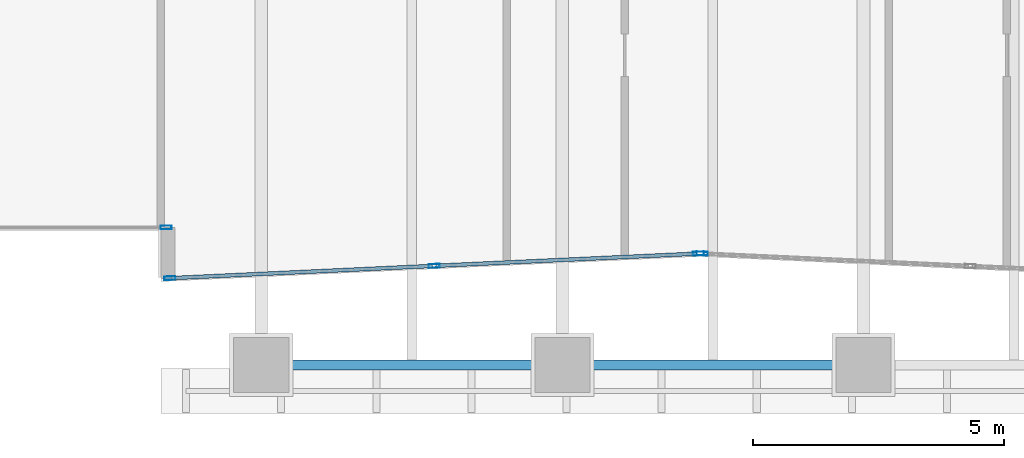
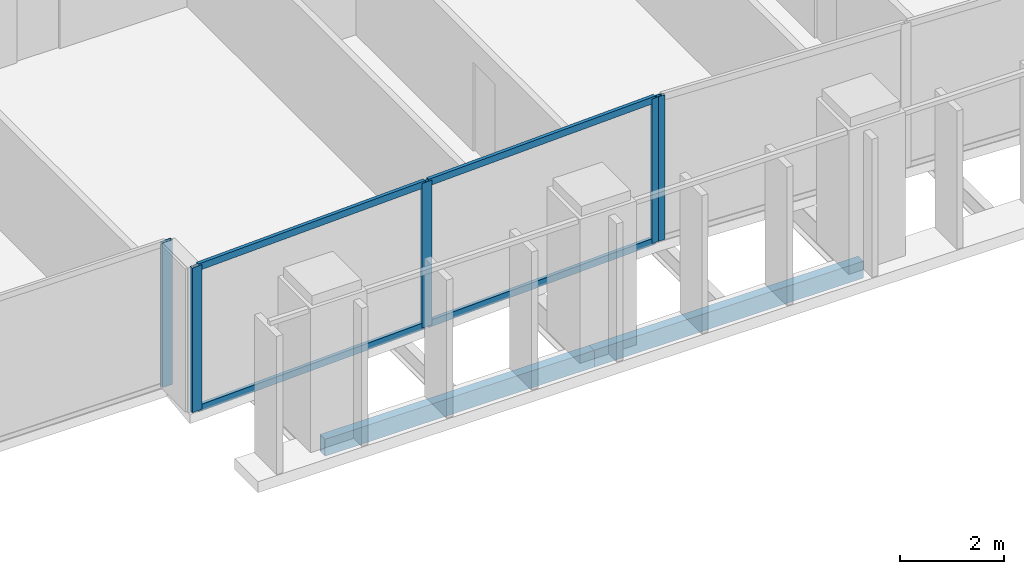
# One storey, part 5 of 32: 9 members, 2 beams, 3 elements without a shape of their own.
"""IFC4 building model written with IfcOpenShell, lengths in metres."""

from ifc_helpers import new_model, si_unit, direction, frame, origin, origin_2d, place, context, subcontext, project, spatial, hollow_rectangle, extrude, material, layer, layer_set, material_profile, profile_set, type_object, element, aggregate, save


model = new_model("IFC4")

# Units and contexts
model_context = context("Model", 3, precision=1e-05, world=origin(), true_north=direction((0.0, 1.0)))
body_context = subcontext(model_context, "Body", "Model", "MODEL_VIEW")
ifc_project = project(units=[si_unit("LENGTHUNIT", "METRE"), si_unit("AREAUNIT", "SQUARE_METRE"), si_unit("VOLUMEUNIT", "CUBIC_METRE"), si_unit("PLANEANGLEUNIT", "RADIAN"), si_unit("MASSUNIT", "GRAM", prefix="KILO")], contexts=[model_context])

# Site, building, storey
site_placement = place(None, origin())
site = spatial("IfcSite", under=ifc_project, at=site_placement, CompositionType="ELEMENT")
building_placement = place(site_placement, origin())
building = spatial("IfcBuilding", under=site, at=building_placement, Name="Tanjung Sevakor Pilgrim Tower", CompositionType="ELEMENT")
storey_placement = place(building_placement, frame((0.0, 0.0, 62.3701171875)))
storey = spatial("IfcBuildingStorey", under=building, at=storey_placement, Name="L17", CompositionType="ELEMENT", Elevation=62.3701171875)

# Beams
ifc_material_1 = material(Name="Steel S355J2", Category="steel")
ifc_material_profile_1 = material_profile(ifc_material_1, hollow_rectangle(XDim=0.199951171875, YDim=0.39990234375, WallThickness=0.01611328125, at=origin_2d()))
ifc_profile_set_1 = profile_set([ifc_material_profile_1], Name="Steel S355J2")
beam_type = type_object("IfcBeamType", Name="BM-B-SP2-RHS_400x200x16", PredefinedType="SPANDREL", material=ifc_profile_set_1)
for number, where, z_axis, x_axis, name in (
    (1, (54.0, 8.39990234375, -0.420166015625), (1.0, 0.0, 0.0), (0.0, 1.0, 0.0), "L17 Spandrel MAIN S-07"),
    (2, (60.0, 8.39990234375, -0.420166015625), (1.0, 0.0, 0.0), (0.0, 1.0, 0.0), "L17 Spandrel MAIN S-09"),
):
    element("IfcBeam", number, at=place(storey_placement, frame(where, z_axis=z_axis, x_axis=x_axis)), inside=storey, type_object=beam_type, Name=name, PredefinedType="SPANDREL", context=body_context, shape_type="SweptSolid", body=[
        extrude(hollow_rectangle(XDim=0.199951171875, YDim=0.39990234375, WallThickness=0.01611328125, at=origin_2d()), origin(), (0.0, 0.0, 1.0), 6.0),
    ])

# Curtain wall, member
ifc_material_2 = material(Name="Aluminium 6063-T6 and Low-E Glass", Category="aluminium")
ifc_layer_1 = layer(ifc_material_2, 0.179931640625)
ifc_layer_set_1 = layer_set([ifc_layer_1], Name="CW-SYS-CLEFT")
curtain_wall_type_1 = type_object("IfcCurtainWallType", Name="CW-SYS-CLEFT", PredefinedType="NOTDEFINED", material=ifc_layer_set_1)
curtain_wall_1_placement = place(storey_placement, origin())
curtain_wall_1 = element("IfcCurtainWall", 3, at=curtain_wall_1_placement, inside=storey, type_object=curtain_wall_type_1, Name="L17 Curtain Wall CW-CLF-L17-7", PredefinedType="NOTDEFINED")
ifc_material_3 = material(Name="Aluminium 6063-T6", Category="aluminium")
ifc_material_profile_2 = material_profile(ifc_material_3, hollow_rectangle(XDim=0.074951171875, YDim=0.219970703125, WallThickness=0.0048828125, at=origin_2d()))
ifc_profile_set_2 = profile_set([ifc_material_profile_2], Name="Aluminium 6063-T6")
member_type_1 = type_object("IfcMemberType", Name="TYPE-CWM-2", PredefinedType="MULLION", material=ifc_profile_set_2)
member_1_placement = place(storey_placement, frame((52.1025390625, 11.139892578125, 0.0), z_axis=(0.0, 0.0, 1.0), x_axis=(0.0, 1.0, 0.0)))
member_1 = element("IfcMember", 4, at=member_1_placement, type_object=member_type_1, Name="CW-CLF mullion 2", PredefinedType="MULLION", context=body_context, shape_type="SweptSolid", body=[
    extrude(hollow_rectangle(XDim=0.074951171875, YDim=0.219970703125, WallThickness=0.0048828125, at=origin_2d()), origin(), (0.0, 0.0, 1.0), 3.409912109375),
])
aggregate(curtain_wall_1, [member_1])

# Curtain wall, members
ifc_material_4 = material(Name="Aluminium 6063-T6 and Low-E Glass", Category="aluminium")
ifc_layer_2 = layer(ifc_material_4, 0.199951171875)
ifc_layer_set_2 = layer_set([ifc_layer_2], Name="CW-SYS-PRAY")
curtain_wall_type_2 = type_object("IfcCurtainWallType", Name="CW-SYS-PRAY", PredefinedType="NOTDEFINED", material=ifc_layer_set_2)
curtain_wall_2_placement = place(storey_placement, origin())
curtain_wall_2 = element("IfcCurtainWall", 5, at=curtain_wall_2_placement, inside=storey, type_object=curtain_wall_type_2, Name="L17 Curtain Wall CW-PRY-L17-9", PredefinedType="NOTDEFINED")
member_2_placement = place(storey_placement, frame((52.177490234375, 10.12841796875, 0.0), z_axis=(0.0, 0.0, 1.0), x_axis=(-0.046462491741, 0.998920035269, 0.0)))
member_2 = element("IfcMember", 6, at=member_2_placement, type_object=member_type_1, Name="CW-PRY mullion 1", PredefinedType="MULLION", context=body_context, shape_type="SweptSolid", body=[
    extrude(hollow_rectangle(XDim=0.074951171875, YDim=0.219970703125, WallThickness=0.0048828125, at=origin_2d()), origin(), (0.0, 0.0, 1.0), 3.409912109375),
])
member_3_placement = place(storey_placement, frame((57.445068359375, 10.37353515625, 0.0), z_axis=(0.0, 0.0, 1.0), x_axis=(-0.046462491741, 0.998920035269, 0.0)))
member_3 = element("IfcMember", 7, at=member_3_placement, type_object=member_type_1, Name="CW-PRY mullion 2", PredefinedType="MULLION", context=body_context, shape_type="SweptSolid", body=[
    extrude(hollow_rectangle(XDim=0.074951171875, YDim=0.219970703125, WallThickness=0.0048828125, at=origin_2d()), origin(), (0.0, 0.0, 1.0), 3.409912109375),
])
member_4_placement = place(storey_placement, frame((62.712646484375, 10.618408203125, 0.0), z_axis=(0.0, 0.0, 1.0), x_axis=(-0.046462491741, 0.998920035269, 0.0)))
member_4 = element("IfcMember", 8, at=member_4_placement, type_object=member_type_1, Name="CW-PRY mullion 3", PredefinedType="MULLION", context=body_context, shape_type="SweptSolid", body=[
    extrude(hollow_rectangle(XDim=0.074951171875, YDim=0.219970703125, WallThickness=0.0048828125, at=origin_2d()), origin(), (0.0, 0.0, 1.0), 3.409912109375),
])

# Curtain wall, member
curtain_wall_3_placement = place(storey_placement, origin())
curtain_wall_3 = element("IfcCurtainWall", 9, at=curtain_wall_3_placement, inside=storey, type_object=curtain_wall_type_2, Name="L17 Curtain Wall CW-PRY-L17-10", PredefinedType="NOTDEFINED")
member_5_placement = place(storey_placement, frame((62.787353515625, 10.618408203125, 0.0), z_axis=(0.0, 0.0, 1.0), x_axis=(0.046470450459, 0.998919665055, 0.0)))
member_5 = element("IfcMember", 10, at=member_5_placement, type_object=member_type_1, Name="CW-PRY mullion 1", PredefinedType="MULLION", context=body_context, shape_type="SweptSolid", body=[
    extrude(hollow_rectangle(XDim=0.074951171875, YDim=0.219970703125, WallThickness=0.0048828125, at=origin_2d()), origin(), (0.0, 0.0, 1.0), 3.409912109375),
])
aggregate(curtain_wall_3, [member_5])

# Member
ifc_material_5 = material(Name="Aluminium 6063-T6", Category="aluminium")
ifc_material_profile_3 = material_profile(ifc_material_5, hollow_rectangle(XDim=0.074951171875, YDim=0.159912109375, WallThickness=0.00439453125, at=origin_2d()))
ifc_profile_set_3 = profile_set([ifc_material_profile_3], Name="Aluminium 6063-T6")
member_type_2 = type_object("IfcMemberType", Name="TYPE-CWT-2", PredefinedType="USERDEFINED", material=ifc_profile_set_3)
member_6_placement = place(storey_placement, frame((52.21484375, 10.130126953125, 0.037353515625), z_axis=(0.998918463332, 0.046496275269, 0.0), x_axis=(-0.046496275269, 0.998918463332, 0.0)))
member_6 = element("IfcMember", 11, at=member_6_placement, type_object=member_type_2, Name="CW-PRY transom 1.1", ObjectType="TRANSOM", PredefinedType="USERDEFINED", context=body_context, shape_type="SweptSolid", body=[
    extrude(hollow_rectangle(XDim=0.074951171875, YDim=0.159912109375, WallThickness=0.00439453125, at=origin_2d()), origin(), (0.0, 0.0, 1.0), 5.1982421875),
])

member_7_placement = place(storey_placement, frame((52.21484375, 10.130126953125, 3.372314453125), z_axis=(0.998918463332, 0.046496275269, 0.0), x_axis=(-0.046496275269, 0.998918463332, 0.0)))
member_7 = element("IfcMember", 12, at=member_7_placement, type_object=member_type_2, Name="CW-PRY transom 1.2", ObjectType="TRANSOM", PredefinedType="USERDEFINED", context=body_context, shape_type="SweptSolid", body=[
    extrude(hollow_rectangle(XDim=0.074951171875, YDim=0.159912109375, WallThickness=0.00439453125, at=origin_2d()), origin(), (0.0, 0.0, 1.0), 5.1982421875),
])

member_8_placement = place(storey_placement, frame((57.482421875, 10.375244140625, 0.037353515625), z_axis=(0.998920643617, 0.046449410717, 0.0), x_axis=(-0.046449410717, 0.998920643617, 0.0)))
member_8 = element("IfcMember", 13, at=member_8_placement, type_object=member_type_2, Name="CW-PRY transom 2.1", ObjectType="TRANSOM", PredefinedType="USERDEFINED", context=body_context, shape_type="SweptSolid", body=[
    extrude(hollow_rectangle(XDim=0.074951171875, YDim=0.159912109375, WallThickness=0.00439453125, at=origin_2d()), origin(), (0.0, 0.0, 1.0), 5.1982421875),
])

member_9_placement = place(storey_placement, frame((57.482421875, 10.375244140625, 3.372314453125), z_axis=(0.998920643617, 0.046449410717, 0.0), x_axis=(-0.046449410717, 0.998920643617, 0.0)))
member_9 = element("IfcMember", 14, at=member_9_placement, type_object=member_type_2, Name="CW-PRY transom 2.2", ObjectType="TRANSOM", PredefinedType="USERDEFINED", context=body_context, shape_type="SweptSolid", body=[
    extrude(hollow_rectangle(XDim=0.074951171875, YDim=0.159912109375, WallThickness=0.00439453125, at=origin_2d()), origin(), (0.0, 0.0, 1.0), 5.1982421875),
])

aggregate(curtain_wall_2, [member_2, member_3, member_4, member_6, member_7, member_8, member_9])

save(model, "model.ifc")
